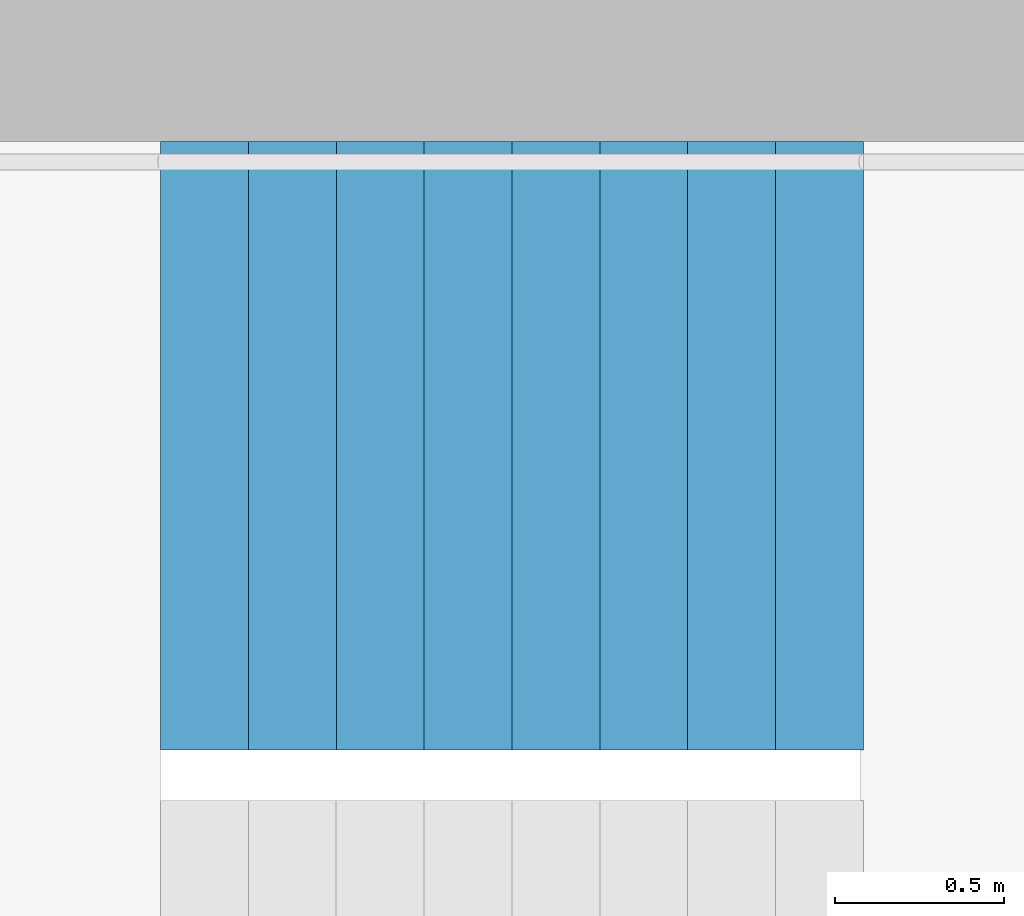
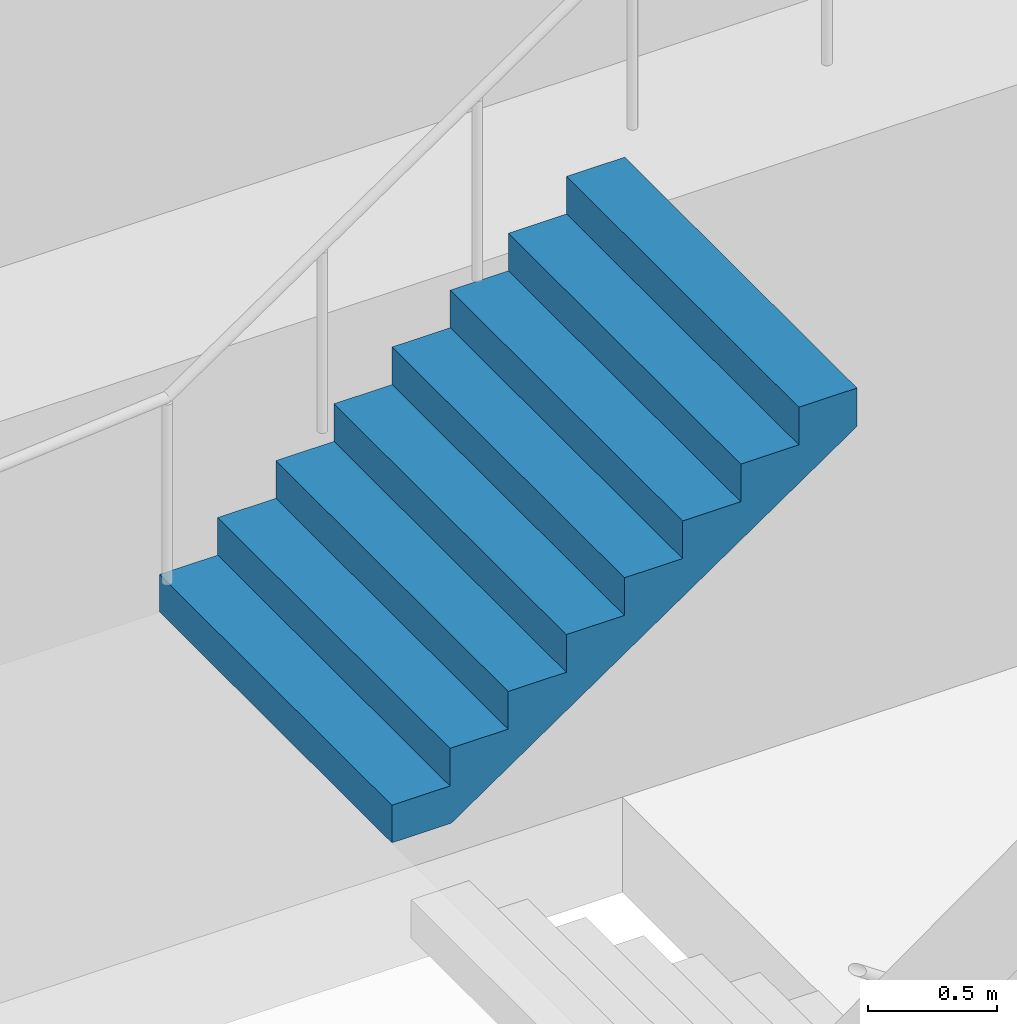
# One storey, part 23 of 28: 1 stair flight, 1 element without a shape of its own.
"""IFC4 building model written with IfcOpenShell, lengths in metres."""

from ifc_helpers import new_model, si_unit, direction, frame, origin, place, context, subcontext, project, spatial, triangles, material, type_object, element, aggregate, save


model = new_model("IFC4")

# Units and contexts
model_context = context("Model", 3, precision=1e-05, world=origin(), true_north=direction((0.0, 1.0)))
body_context = subcontext(model_context, "Body", "Model", "MODEL_VIEW")
ifc_project = project(units=[si_unit("LENGTHUNIT", "METRE"), si_unit("AREAUNIT", "SQUARE_METRE"), si_unit("VOLUMEUNIT", "CUBIC_METRE"), si_unit("PLANEANGLEUNIT", "RADIAN"), si_unit("MASSUNIT", "GRAM", prefix="KILO")], contexts=[model_context])

# Site, building, storey
site_placement = place(None, origin())
site = spatial("IfcSite", under=ifc_project, at=site_placement, CompositionType="ELEMENT")
building_placement = place(site_placement, origin())
building = spatial("IfcBuilding", under=site, at=building_placement, Name="Hakoniwa Tower and Hamabe Station Hall", CompositionType="ELEMENT")
storey_placement = place(building_placement, frame((0.0, 0.0, 218.60009765625)))
storey = spatial("IfcBuildingStorey", under=building, at=storey_placement, Name="L62", CompositionType="ELEMENT", Elevation=218.60009765625)

# Stair, stair flight
ifc_material_1 = material(Name="Concrete C40", Category="concrete")
stair_type = type_object("IfcStairType", Name="ESCAPE STAIR 1800", PredefinedType="HALF_TURN_STAIR", material=ifc_material_1)
stair_placement = place(storey_placement, origin())
stair = element("IfcStair", 1, at=stair_placement, inside=storey, type_object=stair_type, Name="Escape stair ST-3 L62", PredefinedType="HALF_TURN_STAIR")
ifc_material_2 = material(Name="Concrete C40", Category="concrete")
stair_flight_type = type_object("IfcStairFlightType", Name="STAIR FLIGHT 1800", PredefinedType="STRAIGHT", material=ifc_material_2)
stair_flight_placement = place(storey_placement, frame((22.320068359375, 6.60009765625, 1.599853515625), z_axis=(0.0, 0.0, 1.0), x_axis=(1.0, 0.0, 0.0)))
stair_flight = element("IfcStairFlight", 2, at=stair_flight_placement, type_object=stair_flight_type, Name="ST-3 flight 2", NumberOfRisers=9, NumberOfTreads=8, PredefinedType="STRAIGHT", RiserHeight=0.177777778, TreadLength=0.26, context=body_context, shape_type="Tessellation", body=[
    triangles([(0.0, 0.89990234375, 0.0), (0.260009765625, 0.89990234375, 0.0), (0.265625, 0.89990234375, 0.0), (0.52001953125, 0.89990234375, 0.174072265625), (0.780029296875, 0.89990234375, 0.351806640625), (1.0400390625, 0.89990234375, 0.529541015625), (1.300048828125, 0.89990234375, 0.707275390625), (1.56005859375, 0.89990234375, 0.885009765625), (1.820068359375, 0.89990234375, 1.062744140625), (2.080078125, 0.89990234375, 1.24072265625), (2.080078125, 0.89990234375, 1.422119140625), (1.820068359375, 0.89990234375, 1.422119140625), (1.820068359375, 0.89990234375, 1.244384765625), (1.56005859375, 0.89990234375, 1.244384765625), (1.56005859375, 0.89990234375, 1.066650390625), (1.300048828125, 0.89990234375, 1.066650390625), (1.300048828125, 0.89990234375, 0.888916015625), (1.0400390625, 0.89990234375, 0.888916015625), (1.0400390625, 0.89990234375, 0.711181640625), (0.780029296875, 0.89990234375, 0.711181640625), (0.780029296875, 0.89990234375, 0.533447265625), (0.52001953125, 0.89990234375, 0.533447265625), (0.52001953125, 0.89990234375, 0.35546875), (0.265625, 0.89990234375, 0.35546875), (0.260009765625, 0.89990234375, 0.35546875), (0.260009765625, 0.89990234375, 0.177734375), (0.0, 0.89990234375, 0.177734375), (0.0, 0.06005859375, 0.0), (0.260009765625, 0.06005859375, 0.0), (0.265625, 0.06005859375, 0.0), (0.52001953125, 0.06005859375, 0.174072265625), (0.780029296875, 0.06005859375, 0.351806640625), (1.0400390625, 0.06005859375, 0.529541015625), (1.300048828125, 0.06005859375, 0.707275390625), (1.56005859375, 0.06005859375, 0.885009765625), (1.820068359375, 0.06005859375, 1.062744140625), (2.080078125, 0.06005859375, 1.24072265625), (2.080078125, 0.06005859375, 1.422119140625), (1.820068359375, 0.06005859375, 1.422119140625), (1.820068359375, 0.06005859375, 1.244384765625), (1.56005859375, 0.06005859375, 1.244384765625), (1.56005859375, 0.06005859375, 1.066650390625), (1.300048828125, 0.06005859375, 1.066650390625), (1.300048828125, 0.06005859375, 0.888916015625), (1.0400390625, 0.06005859375, 0.888916015625), (1.0400390625, 0.06005859375, 0.711181640625), (0.780029296875, 0.06005859375, 0.711181640625), (0.780029296875, 0.06005859375, 0.533447265625), (0.52001953125, 0.06005859375, 0.533447265625), (0.52001953125, 0.06005859375, 0.35546875), (0.265625, 0.06005859375, 0.35546875), (0.260009765625, 0.06005859375, 0.35546875), (0.260009765625, 0.06005859375, 0.177734375), (0.0, 0.06005859375, 0.177734375), (0.0, 0.04296875, 0.0), (0.260009765625, 0.04296875, 0.0), (0.265625, 0.04296875, 0.0), (0.52001953125, 0.04296875, 0.174072265625), (0.780029296875, 0.04296875, 0.351806640625), (1.0400390625, 0.04296875, 0.529541015625), (1.300048828125, 0.04296875, 0.707275390625), (1.56005859375, 0.04296875, 0.885009765625), (1.820068359375, 0.04296875, 1.062744140625), (2.080078125, 0.04296875, 1.24072265625), (2.080078125, 0.04296875, 1.422119140625), (1.820068359375, 0.04296875, 1.422119140625), (1.820068359375, 0.04296875, 1.244384765625), (1.56005859375, 0.04296875, 1.244384765625), (1.56005859375, 0.04296875, 1.066650390625), (1.300048828125, 0.04296875, 1.066650390625), (1.300048828125, 0.04296875, 0.888916015625), (1.0400390625, 0.04296875, 0.888916015625), (1.0400390625, 0.04296875, 0.711181640625), (0.780029296875, 0.04296875, 0.711181640625), (0.780029296875, 0.04296875, 0.533447265625), (0.52001953125, 0.04296875, 0.533447265625), (0.52001953125, 0.04296875, 0.35546875), (0.265625, 0.04296875, 0.35546875), (0.260009765625, 0.04296875, 0.35546875), (0.260009765625, 0.04296875, 0.177734375), (0.0, 0.04296875, 0.177734375), (0.0, 0.025634765625, 0.0), (0.260009765625, 0.025634765625, 0.0), (0.265625, 0.025634765625, 0.0), (0.52001953125, 0.025634765625, 0.174072265625), (0.780029296875, 0.025634765625, 0.351806640625), (1.0400390625, 0.025634765625, 0.529541015625), (1.300048828125, 0.025634765625, 0.707275390625), (1.56005859375, 0.025634765625, 0.885009765625), (1.820068359375, 0.025634765625, 1.062744140625), (2.080078125, 0.025634765625, 1.24072265625), (2.080078125, 0.025634765625, 1.422119140625), (1.820068359375, 0.025634765625, 1.422119140625), (1.820068359375, 0.025634765625, 1.244384765625), (1.56005859375, 0.025634765625, 1.244384765625), (1.56005859375, 0.025634765625, 1.066650390625), (1.300048828125, 0.025634765625, 1.066650390625), (1.300048828125, 0.025634765625, 0.888916015625), (1.0400390625, 0.025634765625, 0.888916015625), (1.0400390625, 0.025634765625, 0.711181640625), (0.780029296875, 0.025634765625, 0.711181640625), (0.780029296875, 0.025634765625, 0.533447265625), (0.52001953125, 0.025634765625, 0.533447265625), (0.52001953125, 0.025634765625, 0.35546875), (0.265625, 0.025634765625, 0.35546875), (0.260009765625, 0.025634765625, 0.35546875), (0.260009765625, 0.025634765625, 0.177734375), (0.0, 0.025634765625, 0.177734375), (0.0, 0.008544921875, 0.0), (0.260009765625, 0.008544921875, 0.0), (0.265625, 0.008544921875, 0.0), (0.52001953125, 0.008544921875, 0.174072265625), (0.780029296875, 0.008544921875, 0.351806640625), (1.0400390625, 0.008544921875, 0.529541015625), (1.300048828125, 0.008544921875, 0.707275390625), (1.56005859375, 0.008544921875, 0.885009765625), (1.820068359375, 0.008544921875, 1.062744140625), (2.080078125, 0.008544921875, 1.24072265625), (2.080078125, 0.008544921875, 1.422119140625), (1.820068359375, 0.008544921875, 1.422119140625), (1.820068359375, 0.008544921875, 1.244384765625), (1.56005859375, 0.008544921875, 1.244384765625), (1.56005859375, 0.008544921875, 1.066650390625), (1.300048828125, 0.008544921875, 1.066650390625), (1.300048828125, 0.008544921875, 0.888916015625), (1.0400390625, 0.008544921875, 0.888916015625), (1.0400390625, 0.008544921875, 0.711181640625), (0.780029296875, 0.008544921875, 0.711181640625), (0.780029296875, 0.008544921875, 0.533447265625), (0.52001953125, 0.008544921875, 0.533447265625), (0.52001953125, 0.008544921875, 0.35546875), (0.265625, 0.008544921875, 0.35546875), (0.260009765625, 0.008544921875, 0.35546875), (0.260009765625, 0.008544921875, 0.177734375), (0.0, 0.008544921875, 0.177734375), (0.0, -0.008544921875, 0.0), (0.260009765625, -0.008544921875, 0.0), (0.265625, -0.008544921875, 0.0), (0.52001953125, -0.008544921875, 0.174072265625), (0.780029296875, -0.008544921875, 0.351806640625), (1.0400390625, -0.008544921875, 0.529541015625), (1.300048828125, -0.008544921875, 0.707275390625), (1.56005859375, -0.008544921875, 0.885009765625), (1.820068359375, -0.008544921875, 1.062744140625), (2.080078125, -0.008544921875, 1.24072265625), (2.080078125, -0.008544921875, 1.422119140625), (1.820068359375, -0.008544921875, 1.422119140625), (1.820068359375, -0.008544921875, 1.244384765625), (1.56005859375, -0.008544921875, 1.244384765625), (1.56005859375, -0.008544921875, 1.066650390625), (1.300048828125, -0.008544921875, 1.066650390625), (1.300048828125, -0.008544921875, 0.888916015625), (1.0400390625, -0.008544921875, 0.888916015625), (1.0400390625, -0.008544921875, 0.711181640625), (0.780029296875, -0.008544921875, 0.711181640625), (0.780029296875, -0.008544921875, 0.533447265625), (0.52001953125, -0.008544921875, 0.533447265625), (0.52001953125, -0.008544921875, 0.35546875), (0.265625, -0.008544921875, 0.35546875), (0.260009765625, -0.008544921875, 0.35546875), (0.260009765625, -0.008544921875, 0.177734375), (0.0, -0.008544921875, 0.177734375), (0.0, -0.025634765625, 0.0), (0.260009765625, -0.025634765625, 0.0), (0.265625, -0.025634765625, 0.0), (0.52001953125, -0.025634765625, 0.174072265625), (0.780029296875, -0.025634765625, 0.351806640625), (1.0400390625, -0.025634765625, 0.529541015625), (1.300048828125, -0.025634765625, 0.707275390625), (1.56005859375, -0.025634765625, 0.885009765625), (1.820068359375, -0.025634765625, 1.062744140625), (2.080078125, -0.025634765625, 1.24072265625), (2.080078125, -0.025634765625, 1.422119140625), (1.820068359375, -0.025634765625, 1.422119140625), (1.820068359375, -0.025634765625, 1.244384765625), (1.56005859375, -0.025634765625, 1.244384765625), (1.56005859375, -0.025634765625, 1.066650390625), (1.300048828125, -0.025634765625, 1.066650390625), (1.300048828125, -0.025634765625, 0.888916015625), (1.0400390625, -0.025634765625, 0.888916015625), (1.0400390625, -0.025634765625, 0.711181640625), (0.780029296875, -0.025634765625, 0.711181640625), (0.780029296875, -0.025634765625, 0.533447265625), (0.52001953125, -0.025634765625, 0.533447265625), (0.52001953125, -0.025634765625, 0.35546875), (0.265625, -0.025634765625, 0.35546875), (0.260009765625, -0.025634765625, 0.35546875), (0.260009765625, -0.025634765625, 0.177734375), (0.0, -0.025634765625, 0.177734375), (0.0, -0.04296875, 0.0), (0.260009765625, -0.04296875, 0.0), (0.265625, -0.04296875, 0.0), (0.52001953125, -0.04296875, 0.174072265625), (0.780029296875, -0.04296875, 0.351806640625), (1.0400390625, -0.04296875, 0.529541015625), (1.300048828125, -0.04296875, 0.707275390625), (1.56005859375, -0.04296875, 0.885009765625), (1.820068359375, -0.04296875, 1.062744140625), (2.080078125, -0.04296875, 1.24072265625), (2.080078125, -0.04296875, 1.422119140625), (1.820068359375, -0.04296875, 1.422119140625), (1.820068359375, -0.04296875, 1.244384765625), (1.56005859375, -0.04296875, 1.244384765625), (1.56005859375, -0.04296875, 1.066650390625), (1.300048828125, -0.04296875, 1.066650390625), (1.300048828125, -0.04296875, 0.888916015625), (1.0400390625, -0.04296875, 0.888916015625), (1.0400390625, -0.04296875, 0.711181640625), (0.780029296875, -0.04296875, 0.711181640625), (0.780029296875, -0.04296875, 0.533447265625), (0.52001953125, -0.04296875, 0.533447265625), (0.52001953125, -0.04296875, 0.35546875), (0.265625, -0.04296875, 0.35546875), (0.260009765625, -0.04296875, 0.35546875), (0.260009765625, -0.04296875, 0.177734375), (0.0, -0.04296875, 0.177734375), (0.0, -0.06005859375, 0.0), (0.260009765625, -0.06005859375, 0.0), (0.265625, -0.06005859375, 0.0), (0.52001953125, -0.06005859375, 0.174072265625), (0.780029296875, -0.06005859375, 0.351806640625), (1.0400390625, -0.06005859375, 0.529541015625), (1.300048828125, -0.06005859375, 0.707275390625), (1.56005859375, -0.06005859375, 0.885009765625), (1.820068359375, -0.06005859375, 1.062744140625), (2.080078125, -0.06005859375, 1.24072265625), (2.080078125, -0.06005859375, 1.422119140625), (1.820068359375, -0.06005859375, 1.422119140625), (1.820068359375, -0.06005859375, 1.244384765625), (1.56005859375, -0.06005859375, 1.244384765625), (1.56005859375, -0.06005859375, 1.066650390625), (1.300048828125, -0.06005859375, 1.066650390625), (1.300048828125, -0.06005859375, 0.888916015625), (1.0400390625, -0.06005859375, 0.888916015625), (1.0400390625, -0.06005859375, 0.711181640625), (0.780029296875, -0.06005859375, 0.711181640625), (0.780029296875, -0.06005859375, 0.533447265625), (0.52001953125, -0.06005859375, 0.533447265625), (0.52001953125, -0.06005859375, 0.35546875), (0.265625, -0.06005859375, 0.35546875), (0.260009765625, -0.06005859375, 0.35546875), (0.260009765625, -0.06005859375, 0.177734375), (0.0, -0.06005859375, 0.177734375), (0.0, -0.89990234375, 0.0), (0.260009765625, -0.89990234375, 0.0), (0.265625, -0.89990234375, 0.0), (0.52001953125, -0.89990234375, 0.174072265625), (0.780029296875, -0.89990234375, 0.351806640625), (1.0400390625, -0.89990234375, 0.529541015625), (1.300048828125, -0.89990234375, 0.707275390625), (1.56005859375, -0.89990234375, 0.885009765625), (1.820068359375, -0.89990234375, 1.062744140625), (2.080078125, -0.89990234375, 1.24072265625), (2.080078125, -0.89990234375, 1.422119140625), (1.820068359375, -0.89990234375, 1.422119140625), (1.820068359375, -0.89990234375, 1.244384765625), (1.56005859375, -0.89990234375, 1.244384765625), (1.56005859375, -0.89990234375, 1.066650390625), (1.300048828125, -0.89990234375, 1.066650390625), (1.300048828125, -0.89990234375, 0.888916015625), (1.0400390625, -0.89990234375, 0.888916015625), (1.0400390625, -0.89990234375, 0.711181640625), (0.780029296875, -0.89990234375, 0.711181640625), (0.780029296875, -0.89990234375, 0.533447265625), (0.52001953125, -0.89990234375, 0.533447265625), (0.52001953125, -0.89990234375, 0.35546875), (0.265625, -0.89990234375, 0.35546875), (0.260009765625, -0.89990234375, 0.35546875), (0.260009765625, -0.89990234375, 0.177734375), (0.0, -0.89990234375, 0.177734375)], [[2, 27, 26], [245, 269, 270], [2, 1, 27], [245, 270, 244], [3, 25, 24], [246, 267, 268], [3, 26, 25], [246, 268, 269], [3, 2, 26], [246, 269, 245], [4, 24, 23], [247, 266, 267], [4, 3, 24], [247, 267, 246], [5, 22, 21], [248, 264, 265], [5, 23, 22], [248, 265, 266], [5, 4, 23], [248, 266, 247], [6, 20, 19], [249, 262, 263], [6, 21, 20], [249, 263, 264], [6, 5, 21], [249, 264, 248], [7, 18, 17], [250, 260, 261], [7, 19, 18], [250, 261, 262], [7, 6, 19], [250, 262, 249], [8, 16, 15], [251, 258, 259], [8, 17, 16], [251, 259, 260], [8, 7, 17], [251, 260, 250], [9, 14, 13], [252, 256, 257], [9, 15, 14], [252, 257, 258], [9, 8, 15], [252, 258, 251], [10, 12, 11], [253, 254, 255], [10, 13, 12], [253, 255, 256], [10, 9, 13], [253, 256, 252], [1, 2, 29], [1, 29, 28], [28, 29, 56], [28, 56, 55], [55, 56, 83], [55, 83, 82], [82, 83, 110], [82, 110, 109], [109, 110, 137], [109, 137, 136], [136, 137, 164], [136, 164, 163], [163, 164, 191], [163, 191, 190], [190, 191, 218], [190, 218, 217], [217, 218, 245], [217, 245, 244], [2, 3, 30], [2, 30, 29], [29, 30, 57], [29, 57, 56], [56, 57, 84], [56, 84, 83], [83, 84, 111], [83, 111, 110], [110, 111, 138], [110, 138, 137], [137, 138, 165], [137, 165, 164], [164, 165, 192], [164, 192, 191], [191, 192, 219], [191, 219, 218], [218, 219, 246], [218, 246, 245], [3, 4, 31], [3, 31, 30], [30, 31, 58], [30, 58, 57], [57, 58, 85], [57, 85, 84], [84, 85, 112], [84, 112, 111], [111, 112, 139], [111, 139, 138], [138, 139, 166], [138, 166, 165], [165, 166, 193], [165, 193, 192], [192, 193, 220], [192, 220, 219], [219, 220, 247], [219, 247, 246], [4, 5, 32], [4, 32, 31], [31, 32, 59], [31, 59, 58], [58, 59, 86], [58, 86, 85], [85, 86, 113], [85, 113, 112], [112, 113, 140], [112, 140, 139], [139, 140, 167], [139, 167, 166], [166, 167, 194], [166, 194, 193], [193, 194, 221], [193, 221, 220], [220, 221, 248], [220, 248, 247], [5, 6, 33], [5, 33, 32], [32, 33, 60], [32, 60, 59], [59, 60, 87], [59, 87, 86], [86, 87, 114], [86, 114, 113], [113, 114, 141], [113, 141, 140], [140, 141, 168], [140, 168, 167], [167, 168, 195], [167, 195, 194], [194, 195, 222], [194, 222, 221], [221, 222, 249], [221, 249, 248], [6, 7, 34], [6, 34, 33], [33, 34, 61], [33, 61, 60], [60, 61, 88], [60, 88, 87], [87, 88, 115], [87, 115, 114], [114, 115, 142], [114, 142, 141], [141, 142, 169], [141, 169, 168], [168, 169, 196], [168, 196, 195], [195, 196, 223], [195, 223, 222], [222, 223, 250], [222, 250, 249], [7, 8, 35], [7, 35, 34], [34, 35, 62], [34, 62, 61], [61, 62, 89], [61, 89, 88], [88, 89, 116], [88, 116, 115], [115, 116, 143], [115, 143, 142], [142, 143, 170], [142, 170, 169], [169, 170, 197], [169, 197, 196], [196, 197, 224], [196, 224, 223], [223, 224, 251], [223, 251, 250], [8, 9, 36], [8, 36, 35], [35, 36, 63], [35, 63, 62], [62, 63, 90], [62, 90, 89], [89, 90, 117], [89, 117, 116], [116, 117, 144], [116, 144, 143], [143, 144, 171], [143, 171, 170], [170, 171, 198], [170, 198, 197], [197, 198, 225], [197, 225, 224], [224, 225, 252], [224, 252, 251], [9, 10, 37], [9, 37, 36], [36, 37, 64], [36, 64, 63], [63, 64, 91], [63, 91, 90], [90, 91, 118], [90, 118, 117], [117, 118, 145], [117, 145, 144], [144, 145, 172], [144, 172, 171], [171, 172, 199], [171, 199, 198], [198, 199, 226], [198, 226, 225], [225, 226, 253], [225, 253, 252], [10, 11, 38], [10, 38, 37], [37, 38, 65], [37, 65, 64], [64, 65, 92], [64, 92, 91], [91, 92, 119], [91, 119, 118], [118, 119, 146], [118, 146, 145], [145, 146, 173], [145, 173, 172], [172, 173, 200], [172, 200, 199], [199, 200, 227], [199, 227, 226], [226, 227, 254], [226, 254, 253], [11, 12, 39], [11, 39, 38], [38, 39, 66], [38, 66, 65], [65, 66, 93], [65, 93, 92], [92, 93, 120], [92, 120, 119], [119, 120, 147], [119, 147, 146], [146, 147, 174], [146, 174, 173], [173, 174, 201], [173, 201, 200], [200, 201, 228], [200, 228, 227], [227, 228, 255], [227, 255, 254], [12, 13, 40], [12, 40, 39], [39, 40, 67], [39, 67, 66], [66, 67, 94], [66, 94, 93], [93, 94, 121], [93, 121, 120], [120, 121, 148], [120, 148, 147], [147, 148, 175], [147, 175, 174], [174, 175, 202], [174, 202, 201], [201, 202, 229], [201, 229, 228], [228, 229, 256], [228, 256, 255], [13, 14, 41], [13, 41, 40], [40, 41, 68], [40, 68, 67], [67, 68, 95], [67, 95, 94], [94, 95, 122], [94, 122, 121], [121, 122, 149], [121, 149, 148], [148, 149, 176], [148, 176, 175], [175, 176, 203], [175, 203, 202], [202, 203, 230], [202, 230, 229], [229, 230, 257], [229, 257, 256], [14, 15, 42], [14, 42, 41], [41, 42, 69], [41, 69, 68], [68, 69, 96], [68, 96, 95], [95, 96, 123], [95, 123, 122], [122, 123, 150], [122, 150, 149], [149, 150, 177], [149, 177, 176], [176, 177, 204], [176, 204, 203], [203, 204, 231], [203, 231, 230], [230, 231, 258], [230, 258, 257], [15, 16, 43], [15, 43, 42], [42, 43, 70], [42, 70, 69], [69, 70, 97], [69, 97, 96], [96, 97, 124], [96, 124, 123], [123, 124, 151], [123, 151, 150], [150, 151, 178], [150, 178, 177], [177, 178, 205], [177, 205, 204], [204, 205, 232], [204, 232, 231], [231, 232, 259], [231, 259, 258], [16, 17, 44], [16, 44, 43], [43, 44, 71], [43, 71, 70], [70, 71, 98], [70, 98, 97], [97, 98, 125], [97, 125, 124], [124, 125, 152], [124, 152, 151], [151, 152, 179], [151, 179, 178], [178, 179, 206], [178, 206, 205], [205, 206, 233], [205, 233, 232], [232, 233, 260], [232, 260, 259], [17, 18, 45], [17, 45, 44], [44, 45, 72], [44, 72, 71], [71, 72, 99], [71, 99, 98], [98, 99, 126], [98, 126, 125], [125, 126, 153], [125, 153, 152], [152, 153, 180], [152, 180, 179], [179, 180, 207], [179, 207, 206], [206, 207, 234], [206, 234, 233], [233, 234, 261], [233, 261, 260], [18, 19, 46], [18, 46, 45], [45, 46, 73], [45, 73, 72], [72, 73, 100], [72, 100, 99], [99, 100, 127], [99, 127, 126], [126, 127, 154], [126, 154, 153], [153, 154, 181], [153, 181, 180], [180, 181, 208], [180, 208, 207], [207, 208, 235], [207, 235, 234], [234, 235, 262], [234, 262, 261], [19, 20, 47], [19, 47, 46], [46, 47, 74], [46, 74, 73], [73, 74, 101], [73, 101, 100], [100, 101, 128], [100, 128, 127], [127, 128, 155], [127, 155, 154], [154, 155, 182], [154, 182, 181], [181, 182, 209], [181, 209, 208], [208, 209, 236], [208, 236, 235], [235, 236, 263], [235, 263, 262], [20, 21, 48], [20, 48, 47], [47, 48, 75], [47, 75, 74], [74, 75, 102], [74, 102, 101], [101, 102, 129], [101, 129, 128], [128, 129, 156], [128, 156, 155], [155, 156, 183], [155, 183, 182], [182, 183, 210], [182, 210, 209], [209, 210, 237], [209, 237, 236], [236, 237, 264], [236, 264, 263], [21, 22, 49], [21, 49, 48], [48, 49, 76], [48, 76, 75], [75, 76, 103], [75, 103, 102], [102, 103, 130], [102, 130, 129], [129, 130, 157], [129, 157, 156], [156, 157, 184], [156, 184, 183], [183, 184, 211], [183, 211, 210], [210, 211, 238], [210, 238, 237], [237, 238, 265], [237, 265, 264], [22, 23, 50], [22, 50, 49], [49, 50, 77], [49, 77, 76], [76, 77, 104], [76, 104, 103], [103, 104, 131], [103, 131, 130], [130, 131, 158], [130, 158, 157], [157, 158, 185], [157, 185, 184], [184, 185, 212], [184, 212, 211], [211, 212, 239], [211, 239, 238], [238, 239, 266], [238, 266, 265], [23, 24, 51], [23, 51, 50], [50, 51, 78], [50, 78, 77], [77, 78, 105], [77, 105, 104], [104, 105, 132], [104, 132, 131], [131, 132, 159], [131, 159, 158], [158, 159, 186], [158, 186, 185], [185, 186, 213], [185, 213, 212], [212, 213, 240], [212, 240, 239], [239, 240, 267], [239, 267, 266], [24, 25, 52], [24, 52, 51], [51, 52, 79], [51, 79, 78], [78, 79, 106], [78, 106, 105], [105, 106, 133], [105, 133, 132], [132, 133, 160], [132, 160, 159], [159, 160, 187], [159, 187, 186], [186, 187, 214], [186, 214, 213], [213, 214, 241], [213, 241, 240], [240, 241, 268], [240, 268, 267], [25, 26, 53], [25, 53, 52], [52, 53, 80], [52, 80, 79], [79, 80, 107], [79, 107, 106], [106, 107, 134], [106, 134, 133], [133, 134, 161], [133, 161, 160], [160, 161, 188], [160, 188, 187], [187, 188, 215], [187, 215, 214], [214, 215, 242], [214, 242, 241], [241, 242, 269], [241, 269, 268], [26, 27, 54], [26, 54, 53], [53, 54, 81], [53, 81, 80], [80, 81, 108], [80, 108, 107], [107, 108, 135], [107, 135, 134], [134, 135, 162], [134, 162, 161], [161, 162, 189], [161, 189, 188], [188, 189, 216], [188, 216, 215], [215, 216, 243], [215, 243, 242], [242, 243, 270], [242, 270, 269], [27, 1, 28], [27, 28, 54], [54, 28, 55], [54, 55, 81], [81, 55, 82], [81, 82, 108], [108, 82, 109], [108, 109, 135], [135, 109, 136], [135, 136, 162], [162, 136, 163], [162, 163, 189], [189, 163, 190], [189, 190, 216], [216, 190, 217], [216, 217, 243], [243, 217, 244], [243, 244, 270]], closed=True),
])
aggregate(stair, [stair_flight])

save(model, "model.ifc")
